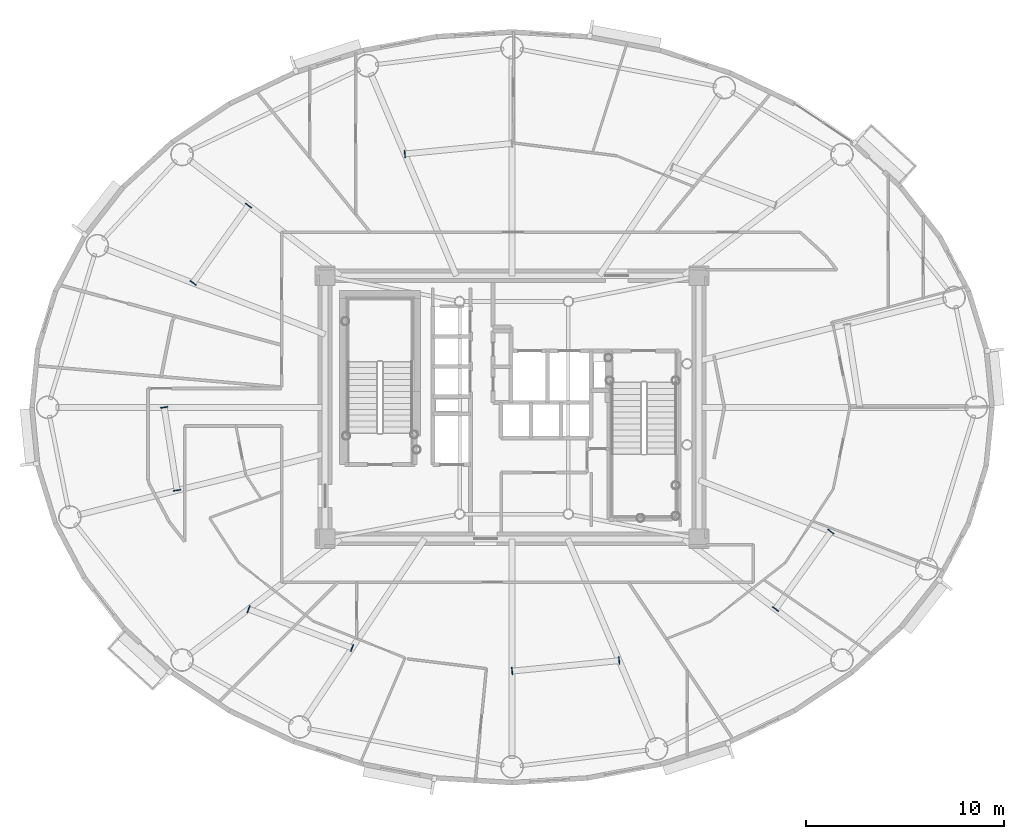
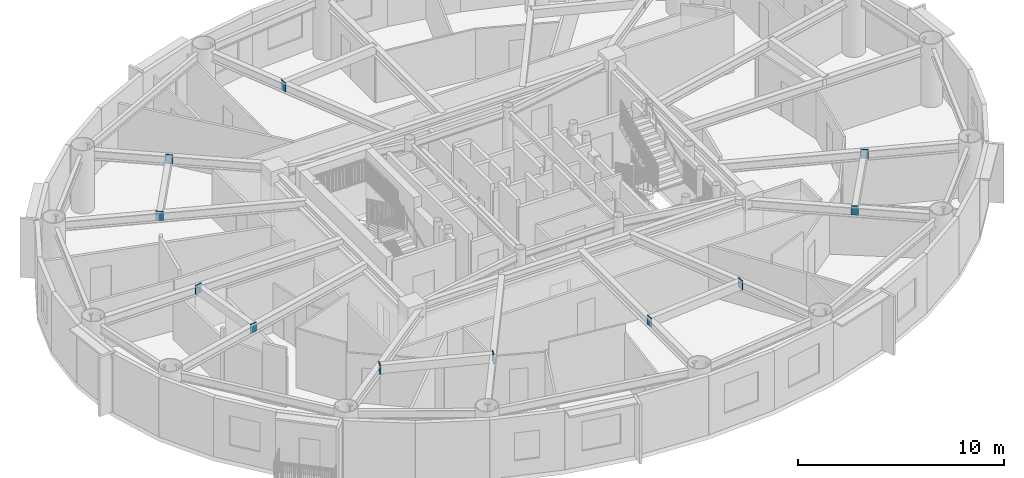
# One storey, part 6 of 19: 11 plates.
"""IFC4 building model written with IfcOpenShell, lengths in metres."""

from ifc_helpers import new_model, si_unit, direction, frame, origin, origin_2d, place, context, subcontext, project, spatial, rectangle, extrude, source, transform, mapped, material, layer, layer_set, type_object, element, save


model = new_model("IFC4")

# Units and contexts
model_context = context("Model", 3, precision=1e-05, world=origin(), true_north=direction((0.0, 1.0)))
body_context = subcontext(model_context, "Body", "Model", "MODEL_VIEW")
ifc_project = project(units=[si_unit("LENGTHUNIT", "METRE"), si_unit("AREAUNIT", "SQUARE_METRE"), si_unit("VOLUMEUNIT", "CUBIC_METRE"), si_unit("PLANEANGLEUNIT", "RADIAN"), si_unit("MASSUNIT", "GRAM", prefix="KILO")], contexts=[model_context])

# Site, building, storey
site_placement = place(None, origin())
site = spatial("IfcSite", under=ifc_project, at=site_placement, CompositionType="ELEMENT")
building_placement = place(site_placement, origin())
building = spatial("IfcBuilding", under=site, at=building_placement, Name="Linh Dai School and Residence Tower", CompositionType="ELEMENT")
storey_placement = place(building_placement, frame((0.0, 0.0, 247.800048828125)))
storey = spatial("IfcBuildingStorey", under=building, at=storey_placement, Name="L61", CompositionType="ELEMENT", Elevation=247.800048828125)

# Plates
ifc_material = material(Name="Structural Steel S355JR", Category="steel")
ifc_layer = layer(ifc_material, 0.0400390625)
ifc_layer_set = layer_set([ifc_layer], Name="Structural Steel S355JR")
plate_type = type_object("IfcPlateType", Name="PLT-GP1", PredefinedType="USERDEFINED", material=ifc_layer_set)
shared_shape = source(origin(), body_context, "Body", "SweptSolid", [
    extrude(rectangle(XDim=0.0400390625, YDim=0.3798828125, at=origin_2d()), origin(), (0.0, 0.0, 1.0), 0.5400390625),
])
for number, where, z_axis, x_axis, name in (
    (1, (30.581787109375, 39.81201171875, 2.97998046875), (0.0, 0.0, 1.0), (-0.995333315624, -0.096496584447, 0.0), "L61 Secondary Beam End Plate 03B"),
    (2, (22.675048828125, 37.201904296875, 2.97998046875), (0.0, 0.0, 1.0), (-0.582040406941, -0.813159864164, 0.0), "L61 Secondary Beam End Plate 04A"),
    (3, (19.8740234375, 33.28857421875, 2.97998046875), (0.0, 0.0, 1.0), (-0.582040406941, -0.813159864164, 0.0), "L61 Secondary Beam End Plate 04B"),
    (4, (18.416259765625, 26.9951171875, 2.97998046875), (0.0, 0.0, 1.0), (0.153185627242, -0.988197431492, 0.0), "L61 Secondary Beam End Plate 05A"),
    (5, (19.06640625, 22.801025390625, 2.97998046875), (0.0, 0.0, 1.0), (0.153185627242, -0.988197431492, 0.0), "L61 Secondary Beam End Plate 05B"),
    (6, (22.6826171875, 16.792236328125, 2.97998046875), (0.0, 0.0, 1.0), (0.936533727109, -0.35057749213, 0.0), "L61 Secondary Beam End Plate 06A"),
    (7, (27.914306640625, 14.833984375, 2.97998046875), (0.0, 0.0, 1.0), (0.936533727109, -0.35057749213, 0.0), "L61 Secondary Beam End Plate 06B"),
    (8, (36.0048828125, 13.6630859375, 2.97998046875), (0.0, 0.0, 1.0), (0.995333315624, 0.096496584447, 0.0), "L61 Secondary Beam End Plate 07A"),
    (9, (41.418212890625, 14.18798828125, 2.97998046875), (0.0, 0.0, 1.0), (0.995333315624, 0.096496584447, 0.0), "L61 Secondary Beam End Plate 07B"),
    (10, (49.324951171875, 16.798095703125, 2.97998046875), (0.0, 0.0, 1.0), (0.582040406941, 0.813159864164, 0.0), "L61 Secondary Beam End Plate 08A"),
    (11, (52.1259765625, 20.71142578125, 2.97998046875), (0.0, 0.0, 1.0), (0.582040406941, 0.813159864164, 0.0), "L61 Secondary Beam End Plate 08B"),
):
    element("IfcPlate", number, at=place(storey_placement, frame(where, z_axis=z_axis, x_axis=x_axis)), inside=storey, type_object=plate_type, Name=name, ObjectType="GUSSET PLATE", PredefinedType="USERDEFINED", context=body_context, shape_type="MappedRepresentation", body=[
        mapped(shared_shape, transform((0.0, 0.0, 0.0), x_axis=(1.0, 0.0, 0.0), y_axis=(0.0, 1.0, 0.0), z_axis=(0.0, 0.0, 1.0), scale=1.0)),
    ])

save(model, "model.ifc")
